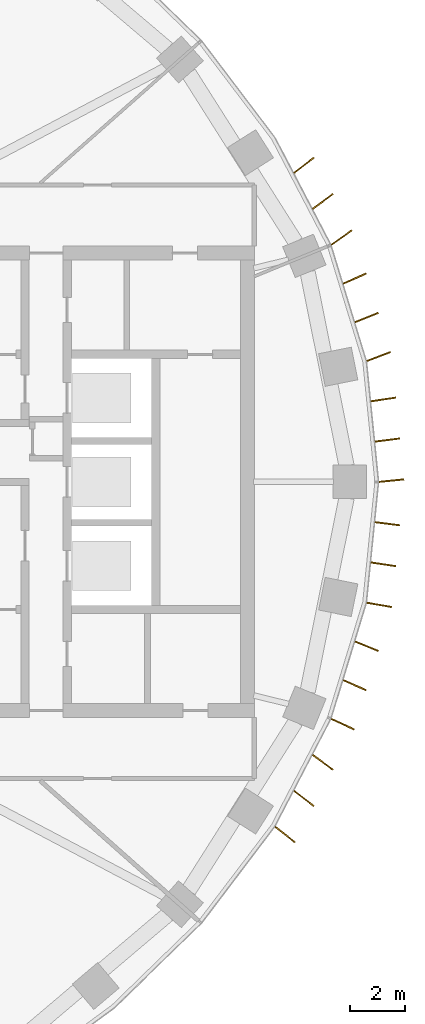
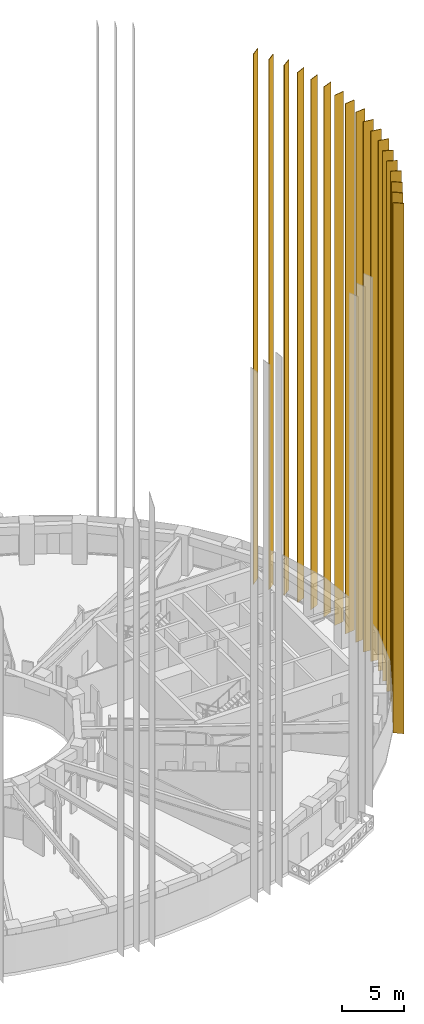
# One storey, part 18 of 19: 18 coverings.
"""IFC4 building model written with IfcOpenShell, lengths in metres."""

from ifc_helpers import new_model, si_unit, direction, frame, origin, origin_2d, place, context, subcontext, project, spatial, rectangle, extrude, material, material_profile, profile_set, type_object, element, save


model = new_model("IFC4")

# Units and contexts
model_context = context("Model", 3, precision=1e-05, world=origin(), true_north=direction((0.0, 1.0)))
body_context = subcontext(model_context, "Body", "Model", "MODEL_VIEW")
ifc_project = project(units=[si_unit("LENGTHUNIT", "METRE"), si_unit("AREAUNIT", "SQUARE_METRE"), si_unit("VOLUMEUNIT", "CUBIC_METRE"), si_unit("PLANEANGLEUNIT", "RADIAN"), si_unit("MASSUNIT", "GRAM", prefix="KILO")], contexts=[model_context])

# Site, building, storey
site_placement = place(None, origin())
site = spatial("IfcSite", under=ifc_project, at=site_placement, CompositionType="ELEMENT")
building_placement = place(site_placement, origin())
building = spatial("IfcBuilding", under=site, at=building_placement, Name="Noorbagh Ring Tower", CompositionType="ELEMENT")
storey_placement = place(building_placement, frame((0.0, 0.0, 146.0)))
storey = spatial("IfcBuildingStorey", under=building, at=storey_placement, Name="L33", CompositionType="ELEMENT", Elevation=146.0)

# Coverings
ifc_material = material(Name="Aluminium 6063-T6 black anodised", Category="aluminium")
ifc_material_profile = material_profile(ifc_material, rectangle(XDim=0.89990234375, YDim=0.050048828125, at=origin_2d()), Name="900x50")
ifc_profile_set = profile_set([ifc_material_profile], Name="Aluminium 6063-T6 black anodised")
covering_type = type_object("IfcCoveringType", Name="ENV-FIN", PredefinedType="CLADDING", material=ifc_profile_set)
for number, where, z_axis, x_axis, name in (
    (1, (36.4482421875, 0.045166015625, -0.284912109375), (0.0, 0.0, 1.0), (0.994969504864, 0.100178263068, 0.0), "Fin F01 1 L33-L45"),
    (2, (36.30126953125, 1.5087890625, -0.284912109375), (0.0, 0.0, 1.0), (0.992302876732, 0.12383457041, 0.0), "Fin F01 2 L33-L45"),
    (3, (36.154296875, 2.97216796875, -0.284912109375), (0.0, 0.0, 1.0), (0.989102941421, 0.147225579543, 0.0), "Fin F01 3 L33-L45"),
    (4, (35.9833984375, 4.520751953125, -0.284912109375), (0.0, 0.0, 1.0), (0.933362145395, 0.358936074453, 0.0), "Fin F02 1 L33-L45"),
    (5, (35.553466796875, 5.92724609375, -0.284912109375), (0.0, 0.0, 1.0), (0.925000661941, 0.379965492392, 0.0), "Fin F02 2 L33-L45"),
    (6, (35.123291015625, 7.3330078125, -0.284912109375), (0.0, 0.0, 1.0), (0.916474909008, 0.40009216583, 0.0), "Fin F02 3 L33-L45"),
    (7, (34.651611328125, 8.810791015625, -0.284912109375), (0.0, 0.0, 1.0), (0.815855460993, 0.57825588347, 0.0), "Fin F03 1 L33-L45"),
    (8, (33.9716796875, 10.113525390625, -0.284912109375), (0.0, 0.0, 1.0), (0.804260303023, 0.59427717858, 0.0), "Fin F03 2 L33-L45"),
    (9, (33.291748046875, 11.415771484375, -0.284912109375), (0.0, 0.0, 1.0), (0.793137535147, 0.609042568579, 0.0), "Fin F03 3 L33-L45"),
    (10, (32.612060546875, -12.71728515625, -0.284912109375), (0.0, 0.0, 1.0), (0.782643528987, -0.622470165176, 0.0), "Fin F44 1 L33-L45"),
    (11, (33.291748046875, -11.415771484375, -0.284912109375), (0.0, 0.0, 1.0), (0.793137535147, -0.609042568579, 0.0), "Fin F44 2 L33-L45"),
    (12, (33.9716796875, -10.113525390625, -0.284912109375), (0.0, 0.0, 1.0), (0.804260303023, -0.59427717858, 0.0), "Fin F44 3 L33-L45"),
    (13, (34.693359375, -8.738525390625, -0.284912109375), (0.0, 0.0, 1.0), (0.907911558545, -0.419161784827, 0.0), "Fin F45 1 L33-L45"),
    (14, (35.123291015625, -7.3330078125, -0.284912109375), (0.0, 0.0, 1.0), (0.916474909008, -0.40009216583, 0.0), "Fin F45 2 L33-L45"),
    (15, (35.553466796875, -5.92724609375, -0.284912109375), (0.0, 0.0, 1.0), (0.925000661941, -0.379965492392, 0.0), "Fin F45 3 L33-L45"),
    (16, (36.0068359375, -4.435546875, -0.284912109375), (0.0, 0.0, 1.0), (0.985418628789, -0.170147365642, 0.0), "Fin F46 1 L33-L45"),
    (17, (36.154296875, -2.97216796875, -0.284912109375), (0.0, 0.0, 1.0), (0.989102941421, -0.147225579543, 0.0), "Fin F46 2 L33-L45"),
    (18, (36.30126953125, -1.5087890625, -0.284912109375), (0.0, 0.0, 1.0), (0.992302876732, -0.12383457041, 0.0), "Fin F46 3 L33-L45"),
):
    element("IfcCovering", number, at=place(storey_placement, frame(where, z_axis=z_axis, x_axis=x_axis)), inside=storey, type_object=covering_type, Name=name, ObjectType="FIN", PredefinedType="CLADDING", context=body_context, shape_type="SweptSolid", body=[
        extrude(rectangle(XDim=0.89990234375, YDim=0.050048828125, at=origin_2d()), origin(), (0.0, 0.0, 1.0), 51.969970703125),
    ])

save(model, "model.ifc")
